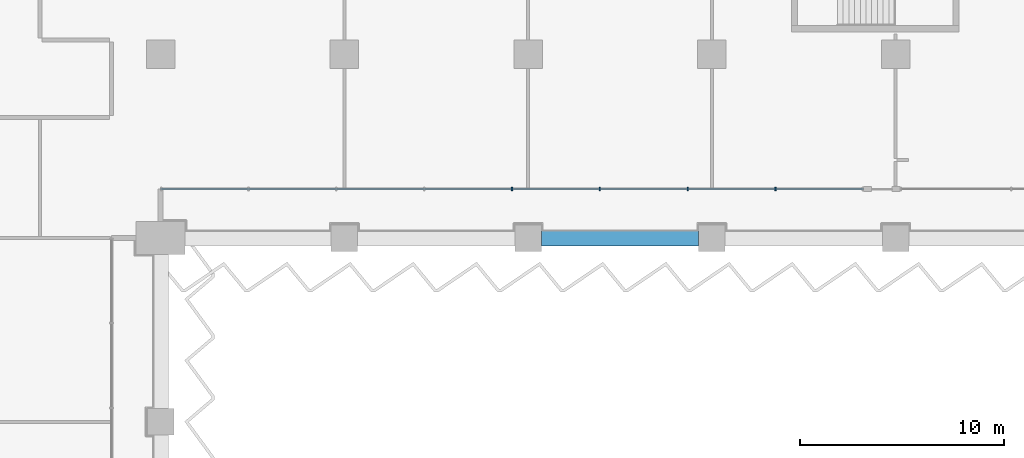
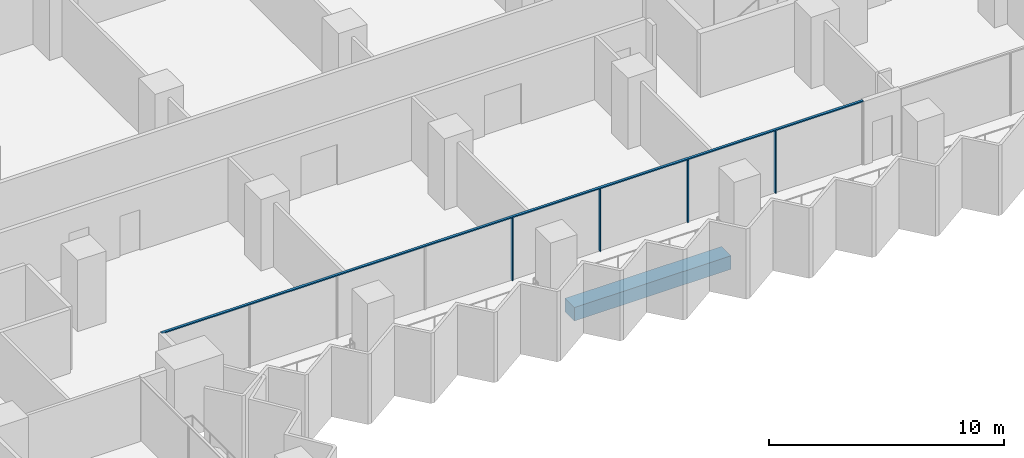
# One storey, part 5 of 28: 5 members, 1 beam, 1 element without a shape of its own.
"""IFC4 building model written with IfcOpenShell, lengths in metres."""

from ifc_helpers import new_model, si_unit, direction, frame, origin, origin_2d, place, context, subcontext, project, spatial, rectangle, extrude, material, material_profile, profile_set, type_object, element, aggregate, save


model = new_model("IFC4")

# Units and contexts
model_context = context("Model", 3, precision=1e-05, world=origin(), true_north=direction((0.0, 1.0)))
body_context = subcontext(model_context, "Body", "Model", "MODEL_VIEW")
ifc_project = project(units=[si_unit("LENGTHUNIT", "METRE"), si_unit("AREAUNIT", "SQUARE_METRE"), si_unit("VOLUMEUNIT", "CUBIC_METRE"), si_unit("PLANEANGLEUNIT", "RADIAN"), si_unit("MASSUNIT", "GRAM", prefix="KILO")], contexts=[model_context])

# Site, building, storey
site_placement = place(None, origin())
site = spatial("IfcSite", under=ifc_project, at=site_placement, CompositionType="ELEMENT")
building_placement = place(site_placement, origin())
building = spatial("IfcBuilding", under=site, at=building_placement, Name="Hunhe Ridgeline Campus", CompositionType="ELEMENT")
storey_placement = place(building_placement, frame((0.0, 0.0, 58.0)))
storey = spatial("IfcBuildingStorey", under=building, at=storey_placement, Name="L13", CompositionType="ELEMENT", Elevation=58.0)

# Curtain wall, members
ifc_material_1 = material(Name="Aluminium 6063", Category="aluminium")
curtain_wall_type = type_object("IfcCurtainWallType", Name="Curtain wall CW-1", PredefinedType="NOTDEFINED", material=ifc_material_1)
curtain_wall_placement = place(storey_placement, origin())
curtain_wall = element("IfcCurtainWall", 1, at=curtain_wall_placement, inside=storey, type_object=curtain_wall_type, Name="Curtain wall 13", PredefinedType="NOTDEFINED")
ifc_material_profile_1 = material_profile(ifc_material_1, rectangle(XDim=0.159912109375, YDim=0.06005859375, at=origin_2d()))
ifc_profile_set_1 = profile_set([ifc_material_profile_1], Name="Aluminium 6063")
member_type_1 = type_object("IfcMemberType", Name="CW-1 aluminium mullion", PredefinedType="MULLION", material=ifc_profile_set_1)
member_1_placement = place(storey_placement, frame((62.211669921875, 56.40087890625, 0.0), z_axis=(0.0, 0.0, 1.0), x_axis=(-3.602063e-06, 0.999999999994, 0.0)))
member_1 = element("IfcMember", 2, at=member_1_placement, type_object=member_type_1, Name="CW-1 mullion 5", PredefinedType="MULLION", context=body_context, shape_type="SweptSolid", body=[
    extrude(rectangle(XDim=0.159912109375, YDim=0.06005859375, at=origin_2d()), origin(), (0.0, 0.0, 1.0), 3.239990234375),
])
member_2_placement = place(storey_placement, frame((66.514892578125, 56.40087890625, 0.0), z_axis=(0.0, 0.0, 1.0), x_axis=(-3.602063e-06, 0.999999999994, 0.0)))
member_2 = element("IfcMember", 3, at=member_2_placement, type_object=member_type_1, Name="CW-1 mullion 6", PredefinedType="MULLION", context=body_context, shape_type="SweptSolid", body=[
    extrude(rectangle(XDim=0.159912109375, YDim=0.06005859375, at=origin_2d()), origin(), (0.0, 0.0, 1.0), 3.239990234375),
])
member_3_placement = place(storey_placement, frame((70.81787109375, 56.40087890625, 0.0), z_axis=(0.0, 0.0, 1.0), x_axis=(-3.602063e-06, 0.999999999994, 0.0)))
member_3 = element("IfcMember", 4, at=member_3_placement, type_object=member_type_1, Name="CW-1 mullion 7", PredefinedType="MULLION", context=body_context, shape_type="SweptSolid", body=[
    extrude(rectangle(XDim=0.159912109375, YDim=0.06005859375, at=origin_2d()), origin(), (0.0, 0.0, 1.0), 3.239990234375),
])
member_4_placement = place(storey_placement, frame((75.12109375, 56.40087890625, 0.0), z_axis=(0.0, 0.0, 1.0), x_axis=(-3.602063e-06, 0.999999999994, 0.0)))
member_4 = element("IfcMember", 5, at=member_4_placement, type_object=member_type_1, Name="CW-1 mullion 8", PredefinedType="MULLION", context=body_context, shape_type="SweptSolid", body=[
    extrude(rectangle(XDim=0.159912109375, YDim=0.06005859375, at=origin_2d()), origin(), (0.0, 0.0, 1.0), 3.239990234375),
])
ifc_material_profile_2 = material_profile(ifc_material_1, rectangle(XDim=0.1201171875, YDim=0.06005859375, at=origin_2d()))
ifc_profile_set_2 = profile_set([ifc_material_profile_2], Name="Aluminium 6063")
member_type_2 = type_object("IfcMemberType", Name="CW-1 aluminium transom", PredefinedType="USERDEFINED", material=ifc_profile_set_2)
member_5_placement = place(storey_placement, frame((44.99951171875, 56.40087890625, 3.27001953125), z_axis=(1.0, 0.0, 0.0), x_axis=(0.0, 1.0, 0.0)))
member_5 = element("IfcMember", 6, at=member_5_placement, type_object=member_type_2, Name="CW-1 transom 1", ObjectType="TRANSOM", PredefinedType="USERDEFINED", context=body_context, shape_type="SweptSolid", body=[
    extrude(rectangle(XDim=0.1201171875, YDim=0.06005859375, at=origin_2d()), origin(), (0.0, 0.0, 1.0), 34.424560546875),
])
aggregate(curtain_wall, [member_5, member_1, member_2, member_3, member_4])

# Beam
ifc_material_2 = material(Name="Concrete C60", Category="concrete")
ifc_material_profile_3 = material_profile(ifc_material_2, rectangle(XDim=0.800048828125, YDim=0.699951171875, at=origin_2d()))
ifc_profile_set_3 = profile_set([ifc_material_profile_3], Name="Concrete C60")
beam_type = type_object("IfcBeamType", Name="RC spandrel beam 800x700 Concrete C60", PredefinedType="SPANDREL", material=ifc_profile_set_3)
beam_placement = place(storey_placement, frame((63.64990234375, 54.0, -0.60009765625), z_axis=(1.0, 0.0, 0.0), x_axis=(0.0, 1.0, 0.0)))
element("IfcBeam", 7, at=beam_placement, inside=storey, type_object=beam_type, Name="Spandrel beam B1-14 L13", PredefinedType="SPANDREL", context=body_context, shape_type="SweptSolid", body=[
    extrude(rectangle(XDim=0.800048828125, YDim=0.699951171875, at=origin_2d()), origin(), (0.0, 0.0, 1.0), 7.7001953125),
])

save(model, "model.ifc")
